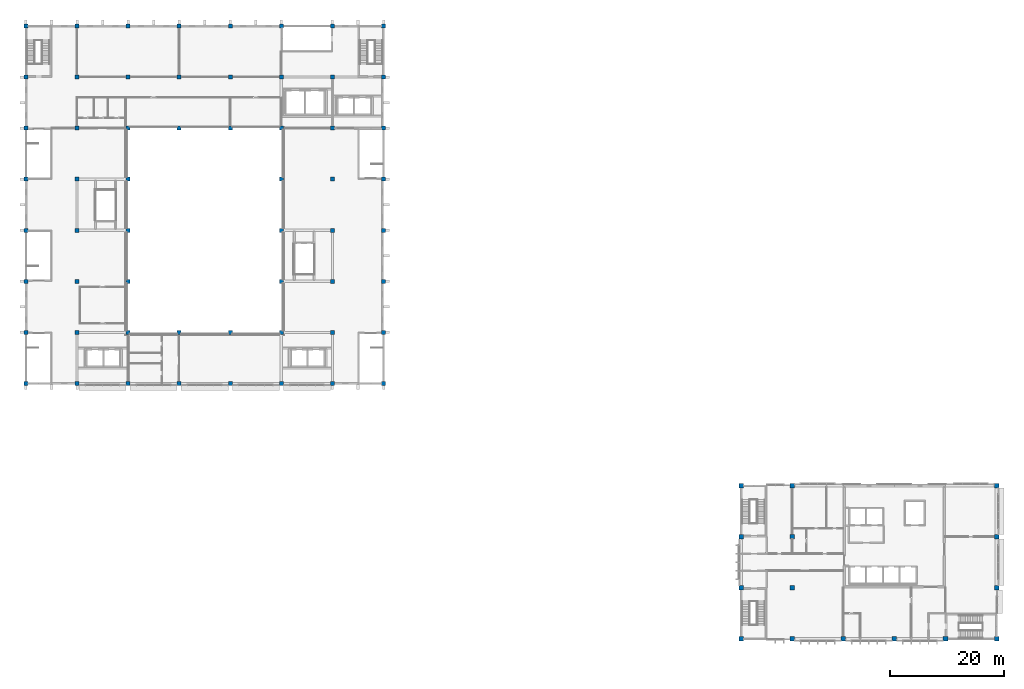
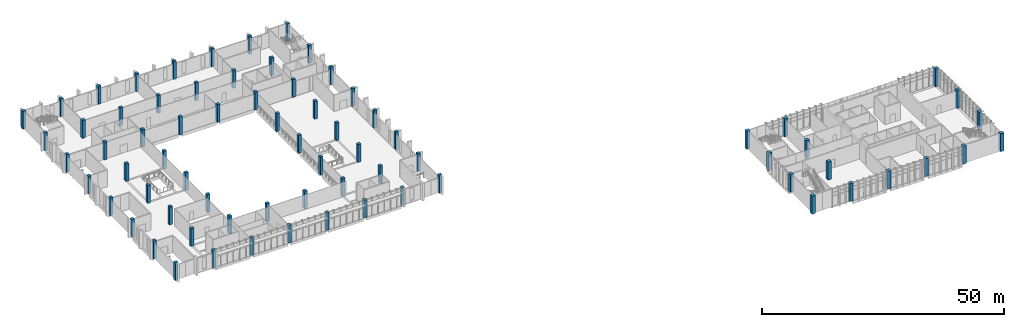
# One storey, part 1 of 40: 73 columns.
"""IFC4 building model written with IfcOpenShell, lengths in metres."""

from ifc_helpers import new_model, si_unit, direction, frame, origin, origin_2d, place, context, subcontext, project, spatial, rectangle, extrude, material, material_profile, profile_set, type_object, element, save


model = new_model("IFC4")

# Units and contexts
model_context = context("Model", 3, precision=1e-05, world=origin(), true_north=direction((0.0, 1.0)))
body_context = subcontext(model_context, "Body", "Model", "MODEL_VIEW")
ifc_project = project(units=[si_unit("LENGTHUNIT", "METRE"), si_unit("AREAUNIT", "SQUARE_METRE"), si_unit("VOLUMEUNIT", "CUBIC_METRE"), si_unit("PLANEANGLEUNIT", "RADIAN"), si_unit("MASSUNIT", "GRAM", prefix="KILO")], contexts=[model_context])

# Site, building, storey
site_placement = place(None, origin())
site = spatial("IfcSite", under=ifc_project, at=site_placement, CompositionType="ELEMENT")
building_placement = place(site_placement, origin())
building = spatial("IfcBuilding", under=site, at=building_placement, Name="Guidao Yard Department Store", CompositionType="ELEMENT")
storey_placement = place(building_placement, frame((0.0, 0.0, 24.0)))
storey = spatial("IfcBuildingStorey", under=building, at=storey_placement, Name="L05", CompositionType="ELEMENT", Elevation=24.0)

# Columns
ifc_material_1 = material(Name="Concrete C40", Category="concrete")
ifc_material_profile_1 = material_profile(ifc_material_1, rectangle(XDim=0.699951171875, YDim=0.699951171875, at=origin_2d()), Name="COL 700x700")
ifc_profile_set_1 = profile_set([ifc_material_profile_1], Name="Concrete C40")
column_type_1 = type_object("IfcColumnType", Name="Column 700x700 C40", PredefinedType="COLUMN", material=ifc_profile_set_1)
for number, where, z_axis, x_axis, name in (
    (1, (0.0, 45.0, 0.0), (0.0, 0.0, 1.0), (1.0, 0.0, 0.0), "Column 1/F L05"),
    (2, (9.0, 45.0, 0.0), (0.0, 0.0, 1.0), (1.0, 0.0, 0.0), "Column 2/F L05"),
    (3, (18.0, 45.0, 0.0), (0.0, 0.0, 1.0), (1.0, 0.0, 0.0), "Column 3/F L05"),
    (4, (27.0, 45.0, 0.0), (0.0, 0.0, 1.0), (1.0, 0.0, 0.0), "Column 4/F L05"),
    (5, (36.0, 45.0, 0.0), (0.0, 0.0, 1.0), (1.0, 0.0, 0.0), "Column 5/F L05"),
    (6, (45.0, 45.0, 0.0), (0.0, 0.0, 1.0), (1.0, 0.0, 0.0), "Column 6/F L05"),
    (7, (54.0, 45.0, 0.0), (0.0, 0.0, 1.0), (1.0, 0.0, 0.0), "Column 7/F L05"),
    (8, (63.0, 45.0, 0.0), (0.0, 0.0, 1.0), (1.0, 0.0, 0.0), "Column 8/F L05"),
    (9, (0.0, 54.0, 0.0), (0.0, 0.0, 1.0), (1.0, 0.0, 0.0), "Column 1/G L05"),
    (10, (9.0, 54.0, 0.0), (0.0, 0.0, 1.0), (1.0, 0.0, 0.0), "Column 2/G L05"),
    (11, (18.0, 54.0, 0.0), (0.0, 0.0, 1.0), (1.0, 0.0, 0.0), "Column 3/G L05"),
    (12, (27.0, 54.0, 0.0), (0.0, 0.0, 1.0), (1.0, 0.0, 0.0), "Column 4/G L05"),
    (13, (36.0, 54.0, 0.0), (0.0, 0.0, 1.0), (1.0, 0.0, 0.0), "Column 5/G L05"),
    (14, (45.0, 54.0, 0.0), (0.0, 0.0, 1.0), (1.0, 0.0, 0.0), "Column 6/G L05"),
    (15, (54.0, 54.0, 0.0), (0.0, 0.0, 1.0), (1.0, 0.0, 0.0), "Column 7/G L05"),
    (16, (63.0, 54.0, 0.0), (0.0, 0.0, 1.0), (1.0, 0.0, 0.0), "Column 8/G L05"),
    (17, (0.0, 63.0, 0.0), (0.0, 0.0, 1.0), (1.0, 0.0, 0.0), "Column 1/H L05"),
    (18, (9.0, 63.0, 0.0), (0.0, 0.0, 1.0), (1.0, 0.0, 0.0), "Column 2/H L05"),
    (19, (18.0, 63.0, 0.0), (0.0, 0.0, 1.0), (1.0, 0.0, 0.0), "Column 3/H L05"),
    (20, (45.0, 63.0, 0.0), (0.0, 0.0, 1.0), (1.0, 0.0, 0.0), "Column 6/H L05"),
    (21, (54.0, 63.0, 0.0), (0.0, 0.0, 1.0), (1.0, 0.0, 0.0), "Column 7/H L05"),
    (22, (63.0, 63.0, 0.0), (0.0, 0.0, 1.0), (1.0, 0.0, 0.0), "Column 8/H L05"),
    (23, (0.0, 72.0, 0.0), (0.0, 0.0, 1.0), (1.0, 0.0, 0.0), "Column 1/J L05"),
    (24, (9.0, 72.0, 0.0), (0.0, 0.0, 1.0), (1.0, 0.0, 0.0), "Column 2/J L05"),
    (25, (18.0, 72.0, 0.0), (0.0, 0.0, 1.0), (1.0, 0.0, 0.0), "Column 3/J L05"),
    (26, (45.0, 72.0, 0.0), (0.0, 0.0, 1.0), (1.0, 0.0, 0.0), "Column 6/J L05"),
    (27, (54.0, 72.0, 0.0), (0.0, 0.0, 1.0), (1.0, 0.0, 0.0), "Column 7/J L05"),
    (28, (63.0, 72.0, 0.0), (0.0, 0.0, 1.0), (1.0, 0.0, 0.0), "Column 8/J L05"),
    (29, (0.0, 81.0, 0.0), (0.0, 0.0, 1.0), (1.0, 0.0, 0.0), "Column 1/K L05"),
    (30, (9.0, 81.0, 0.0), (0.0, 0.0, 1.0), (1.0, 0.0, 0.0), "Column 2/K L05"),
    (31, (18.0, 81.0, 0.0), (0.0, 0.0, 1.0), (1.0, 0.0, 0.0), "Column 3/K L05"),
    (32, (45.0, 81.0, 0.0), (0.0, 0.0, 1.0), (1.0, 0.0, 0.0), "Column 6/K L05"),
    (33, (54.0, 81.0, 0.0), (0.0, 0.0, 1.0), (1.0, 0.0, 0.0), "Column 7/K L05"),
    (34, (63.0, 81.0, 0.0), (0.0, 0.0, 1.0), (1.0, 0.0, 0.0), "Column 8/K L05"),
    (35, (0.0, 90.0, 0.0), (0.0, 0.0, 1.0), (1.0, 0.0, 0.0), "Column 1/L L05"),
    (36, (9.0, 90.0, 0.0), (0.0, 0.0, 1.0), (1.0, 0.0, 0.0), "Column 2/L L05"),
    (37, (18.0, 90.0, 0.0), (0.0, 0.0, 1.0), (1.0, 0.0, 0.0), "Column 3/L L05"),
    (38, (27.0, 90.0, 0.0), (0.0, 0.0, 1.0), (1.0, 0.0, 0.0), "Column 4/L L05"),
    (39, (36.0, 90.0, 0.0), (0.0, 0.0, 1.0), (1.0, 0.0, 0.0), "Column 5/L L05"),
    (40, (45.0, 90.0, 0.0), (0.0, 0.0, 1.0), (1.0, 0.0, 0.0), "Column 6/L L05"),
    (41, (54.0, 90.0, 0.0), (0.0, 0.0, 1.0), (1.0, 0.0, 0.0), "Column 7/L L05"),
    (42, (63.0, 90.0, 0.0), (0.0, 0.0, 1.0), (1.0, 0.0, 0.0), "Column 8/L L05"),
    (43, (0.0, 99.0, 0.0), (0.0, 0.0, 1.0), (1.0, 0.0, 0.0), "Column 1/M L05"),
    (44, (9.0, 99.0, 0.0), (0.0, 0.0, 1.0), (1.0, 0.0, 0.0), "Column 2/M L05"),
    (45, (18.0, 99.0, 0.0), (0.0, 0.0, 1.0), (1.0, 0.0, 0.0), "Column 3/M L05"),
    (46, (27.0, 99.0, 0.0), (0.0, 0.0, 1.0), (1.0, 0.0, 0.0), "Column 4/M L05"),
    (47, (36.0, 99.0, 0.0), (0.0, 0.0, 1.0), (1.0, 0.0, 0.0), "Column 5/M L05"),
    (48, (45.0, 99.0, 0.0), (0.0, 0.0, 1.0), (1.0, 0.0, 0.0), "Column 6/M L05"),
    (49, (54.0, 99.0, 0.0), (0.0, 0.0, 1.0), (1.0, 0.0, 0.0), "Column 7/M L05"),
    (50, (63.0, 99.0, 0.0), (0.0, 0.0, 1.0), (1.0, 0.0, 0.0), "Column 8/M L05"),
    (51, (0.0, 108.0, 0.0), (0.0, 0.0, 1.0), (1.0, 0.0, 0.0), "Column 1/N L05"),
    (52, (9.0, 108.0, 0.0), (0.0, 0.0, 1.0), (1.0, 0.0, 0.0), "Column 2/N L05"),
    (53, (18.0, 108.0, 0.0), (0.0, 0.0, 1.0), (1.0, 0.0, 0.0), "Column 3/N L05"),
    (54, (27.0, 108.0, 0.0), (0.0, 0.0, 1.0), (1.0, 0.0, 0.0), "Column 4/N L05"),
    (55, (36.0, 108.0, 0.0), (0.0, 0.0, 1.0), (1.0, 0.0, 0.0), "Column 5/N L05"),
    (56, (45.0, 108.0, 0.0), (0.0, 0.0, 1.0), (1.0, 0.0, 0.0), "Column 6/N L05"),
    (57, (54.0, 108.0, 0.0), (0.0, 0.0, 1.0), (1.0, 0.0, 0.0), "Column 7/N L05"),
    (58, (63.0, 108.0, 0.0), (0.0, 0.0, 1.0), (1.0, 0.0, 0.0), "Column 8/N L05"),
):
    element("IfcColumn", number, at=place(storey_placement, frame(where, z_axis=z_axis, x_axis=x_axis)), inside=storey, type_object=column_type_1, Name=name, PredefinedType="COLUMN", context=body_context, shape_type="SweptSolid", body=[
        extrude(rectangle(XDim=0.699951171875, YDim=0.699951171875, at=origin_2d()), origin(), (0.0, 0.0, 1.0), 4.5),
    ])
ifc_material_2 = material(Name="Concrete C50", Category="concrete")
ifc_material_profile_2 = material_profile(ifc_material_2, rectangle(XDim=0.800048828125, YDim=0.800048828125, at=origin_2d()), Name="COL 800x800")
ifc_profile_set_2 = profile_set([ifc_material_profile_2], Name="Concrete C50")
column_type_2 = type_object("IfcColumnType", Name="Column 800x800 C50", PredefinedType="COLUMN", material=ifc_profile_set_2)
for number, where, z_axis, x_axis, name in (
    (59, (126.0, 0.0, 0.0), (0.0, 0.0, 1.0), (1.0, 0.0, 0.0), "Column 15/A L05"),
    (60, (135.0, 0.0, 0.0), (0.0, 0.0, 1.0), (1.0, 0.0, 0.0), "Column 16/A L05"),
    (61, (144.0, 0.0, 0.0), (0.0, 0.0, 1.0), (1.0, 0.0, 0.0), "Column 17/A L05"),
    (62, (153.0, 0.0, 0.0), (0.0, 0.0, 1.0), (1.0, 0.0, 0.0), "Column 18/A L05"),
    (63, (162.0, 0.0, 0.0), (0.0, 0.0, 1.0), (1.0, 0.0, 0.0), "Column 19/A L05"),
    (64, (171.0, 0.0, 0.0), (0.0, 0.0, 1.0), (1.0, 0.0, 0.0), "Column 20/A L05"),
    (65, (126.0, 9.0, 0.0), (0.0, 0.0, 1.0), (1.0, 0.0, 0.0), "Column 15/B L05"),
    (66, (135.0, 9.0, 0.0), (0.0, 0.0, 1.0), (1.0, 0.0, 0.0), "Column 16/B L05"),
    (67, (171.0, 9.0, 0.0), (0.0, 0.0, 1.0), (1.0, 0.0, 0.0), "Column 20/B L05"),
    (68, (126.0, 18.0, 0.0), (0.0, 0.0, 1.0), (1.0, 0.0, 0.0), "Column 15/C L05"),
    (69, (135.0, 18.0, 0.0), (0.0, 0.0, 1.0), (1.0, 0.0, 0.0), "Column 16/C L05"),
    (70, (171.0, 18.0, 0.0), (0.0, 0.0, 1.0), (1.0, 0.0, 0.0), "Column 20/C L05"),
    (71, (126.0, 27.0, 0.0), (0.0, 0.0, 1.0), (1.0, 0.0, 0.0), "Column 15/D L05"),
    (72, (135.0, 27.0, 0.0), (0.0, 0.0, 1.0), (1.0, 0.0, 0.0), "Column 16/D L05"),
    (73, (171.0, 27.0, 0.0), (0.0, 0.0, 1.0), (1.0, 0.0, 0.0), "Column 20/D L05"),
):
    element("IfcColumn", number, at=place(storey_placement, frame(where, z_axis=z_axis, x_axis=x_axis)), inside=storey, type_object=column_type_2, Name=name, PredefinedType="COLUMN", context=body_context, shape_type="SweptSolid", body=[
        extrude(rectangle(XDim=0.800048828125, YDim=0.800048828125, at=origin_2d()), origin(), (0.0, 0.0, 1.0), 4.5),
    ])

save(model, "model.ifc")
